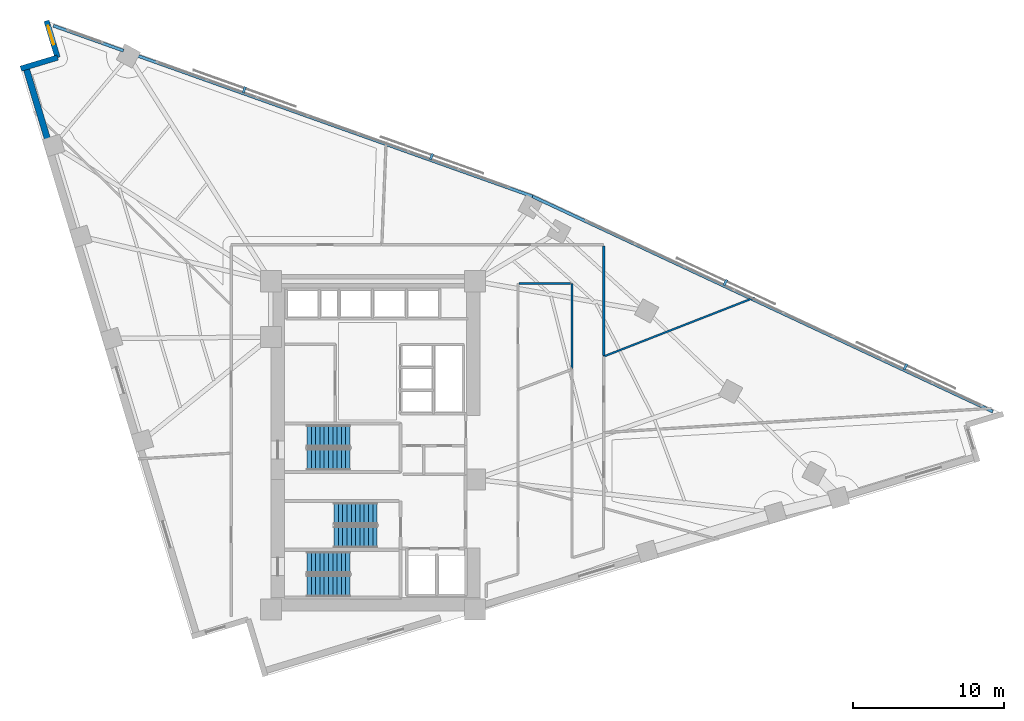
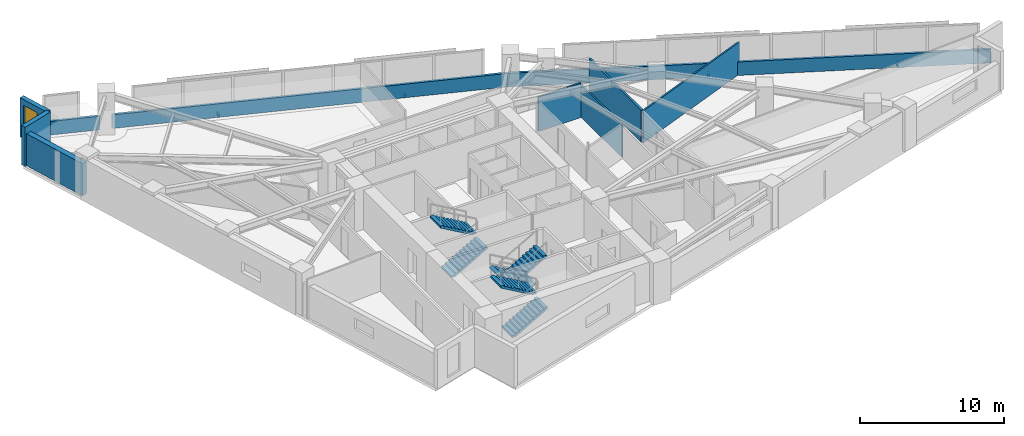
# One storey, part 15 of 17: 10 walls, 6 stair flights, 4 discrete accessories, 1 window, 1 opening, 3 elements without a shape of their own.
"""IFC4 building model written with IfcOpenShell, lengths in metres."""

from ifc_helpers import new_model, si_unit, direction, frame, frame_2d, origin, origin_2d, place, context, subcontext, project, spatial, polyline, rectangle, outline, extrude, material, layer, layer_set, type_object, element, fill, aggregate, save


model = new_model("IFC4")

# Units and contexts
model_context = context("Model", 3, precision=1e-05, world=origin(), true_north=direction((0.0, 1.0)))
body_context = subcontext(model_context, "Body", "Model", "MODEL_VIEW")
ifc_project = project(units=[si_unit("LENGTHUNIT", "METRE"), si_unit("AREAUNIT", "SQUARE_METRE"), si_unit("VOLUMEUNIT", "CUBIC_METRE"), si_unit("PLANEANGLEUNIT", "RADIAN"), si_unit("MASSUNIT", "GRAM", prefix="KILO")], contexts=[model_context])

# Site, building, storey
site_placement = place(None, origin())
site = spatial("IfcSite", under=ifc_project, at=site_placement, CompositionType="ELEMENT")
building_placement = place(site_placement, origin())
building = spatial("IfcBuilding", under=site, at=building_placement, Name="Narakoshi Arena Tower", CompositionType="ELEMENT")
storey_placement = place(building_placement, frame((0.0, 0.0, 139.5)))
storey = spatial("IfcBuildingStorey", under=building, at=storey_placement, Name="L37", CompositionType="ELEMENT", Elevation=139.5)

# Walls
ifc_material_1 = material(Name="Gypsum plasterboard fire-rated partition")
ifc_layer_1 = layer(ifc_material_1, 0.1650390625)
ifc_layer_set_1 = layer_set([ifc_layer_1], Name="Gypsum plasterboard fire-rated partition")
wall_type_1 = type_object("IfcWallType", Name="WL-CORR-165", PredefinedType="PARTITIONING", material=ifc_layer_set_1)
wall_1_placement = place(storey_placement, frame((94.0849609375, 51.58056640625, 0.0), z_axis=(0.0, 0.0, 1.0), x_axis=(0.0, 1.0, 0.0)))
element("IfcWall", 1, at=wall_1_placement, inside=storey, type_object=wall_type_1, Name="L37 Corridor Partition 07-2", PredefinedType="PARTITIONING", context=body_context, shape_type="SweptSolid", body=[
    extrude(rectangle(XDim=7.2529296875, YDim=0.1650390625, at=frame_2d((3.62646484375, 0.0))), origin(), (0.0, 0.0, 1.0), 2.72509765625),
])
ifc_material_2 = material(Name="Precast concrete C45/55", Category="concrete")
ifc_layer_2 = layer(ifc_material_2, 0.25)
ifc_layer_set_2 = layer_set([ifc_layer_2], Name="Precast concrete C45/55")
wall_type_2 = type_object("IfcWallType", Name="WL-PARA-250", PredefinedType="PARAPET", material=ifc_layer_set_2)
wall_2_placement = place(storey_placement, frame((119.92578125, 47.843017578125, 0.0), z_axis=(0.0, 0.0, 1.0), x_axis=(-0.905880730846, 0.423532881228, 0.0)))
element("IfcWall", 2, at=wall_2_placement, inside=storey, type_object=wall_type_2, Name="L37 Hypotenuse Sill Upstand Parapet 1-01", PredefinedType="PARAPET", context=body_context, shape_type="SweptSolid", body=[
    extrude(rectangle(XDim=33.74755859375, YDim=0.199951171875, at=frame_2d((16.873779296875, 0.0))), origin(), (0.0, 0.0, 1.0), 1.14990234375),
])
wall_3_placement = place(storey_placement, frame((89.368408203125, 62.13037109375, 0.0), z_axis=(0.0, 0.0, 1.0), x_axis=(-0.942033439765, 0.335518998515, 0.0)))
element("IfcWall", 3, at=wall_3_placement, inside=storey, type_object=wall_type_2, Name="L37 Hypotenuse Sill Upstand Parapet 2-01", PredefinedType="PARAPET", context=body_context, shape_type="SweptSolid", body=[
    extrude(rectangle(XDim=27.969482421875, YDim=0.199951171875, at=frame_2d((13.98486328125, 0.0))), origin(), (0.0, 0.0, 1.0), 1.14990234375),
])
wall_4_placement = place(storey_placement, frame((62.2177734375, 71.800537109375, 0.0), z_axis=(0.0, 0.0, 1.0), x_axis=(-0.942038862895, 0.335503771655, 0.0)))
element("IfcWall", 4, at=wall_4_placement, inside=storey, type_object=wall_type_2, Name="L37 Hypotenuse Sill Upstand Parapet 2-02", PredefinedType="PARAPET", context=body_context, shape_type="SweptSolid", body=[
    extrude(rectangle(XDim=4.941650390625, YDim=0.199951171875, at=frame_2d((2.470703125, 0.0))), origin(), (0.0, 0.0, 1.0), 1.14990234375),
])
ifc_layer_3 = layer(ifc_material_1, 0.125)
ifc_layer_set_3 = layer_set([ifc_layer_3], Name="Gypsum plasterboard fire-rated partition")
wall_type_3 = type_object("IfcWallType", Name="WL-PART-125", PredefinedType="PARTITIONING", material=ifc_layer_set_3)
wall_5_placement = place(storey_placement, frame((94.0849609375, 51.50048828125, 0.0), z_axis=(0.0, 0.0, 1.0), x_axis=(0.931423458571, 0.363937275948, 0.0)))
element("IfcWall", 5, at=wall_5_placement, inside=storey, type_object=wall_type_3, Name="L37 Inter-Room Partition 04-07", PredefinedType="PARTITIONING", context=body_context, shape_type="SweptSolid", body=[
    extrude(rectangle(XDim=10.7587890625, YDim=0.125, at=frame_2d((5.37939453125, 0.0))), origin(), (0.0, 0.0, 1.0), 2.72509765625),
])
ifc_layer_4 = layer(ifc_material_2, 0.419921875)
ifc_layer_set_4 = layer_set([ifc_layer_4], Name="Precast concrete C45/55")
wall_type_4 = type_object("IfcWallType", Name="WL-POD-420", PredefinedType="SOLIDWALL", material=ifc_layer_set_4)
wall_6_placement = place(storey_placement, frame((55.734130859375, 70.71142578125, 0.0), z_axis=(0.0, 0.0, 1.0), x_axis=(0.288221590884, -0.957563739157, 0.0)))
element("IfcWall", 6, at=wall_6_placement, inside=storey, type_object=wall_type_4, Name="L37 Architectural Concrete Facade Wall LEGB-1", PredefinedType="SOLIDWALL", context=body_context, shape_type="SweptSolid", body=[
    extrude(rectangle(XDim=5.510986328125, YDim=0.419921875, at=frame_2d((2.75537109375, 0.0))), origin(), (0.0, 0.0, 1.0), 2.72509765625),
])

# Wall, opening, window
wall_7_placement = place(storey_placement, frame((57.107666015625, 73.790283203125, 0.0), z_axis=(0.0, 0.0, 1.0), x_axis=(0.288198985694, -0.957570542908, 0.0)))
wall_7 = element("IfcWall", 7, at=wall_7_placement, inside=storey, type_object=wall_type_4, Name="L37 Re-Entrant Corner Notch Wall NTN-1", PredefinedType="SOLIDWALL", context=body_context, shape_type="SweptSolid", body=[
    extrude(rectangle(XDim=2.552490234375, YDim=0.360107421875, at=frame_2d((1.2763671875, 0.0))), origin(), (0.0, 0.0, 1.0), 3.340087890625),
])
opening_placement = place(wall_7_placement, frame((0.340087890625, 0.0, 0.449951171875)))
opening = element("IfcOpeningElement", 8, at=opening_placement, cuts=wall_7, Name="Opening WN-06", PredefinedType="OPENING", context=body_context, shape_type="SweptSolid", body=[
    extrude(rectangle(XDim=1.300048828125, YDim=2.39990234375, at=frame_2d((0.64990234375, 1.199951171875))), frame((0.0, 0.18994140625, 0.0), z_axis=(0.0, -1.0, 0.0), x_axis=(1.0, 0.0, 0.0)), (0.0, 0.0, 1.0), 0.380126953125),
])
ifc_material_3 = material(Name="Bronze-tinted low-E laminated glass", Category="glass")
window_type = type_object("IfcWindowType", Name="WIN-NTC-16x24", PartitioningType="SINGLE_PANEL", PredefinedType="WINDOW", material=ifc_material_3)
window_placement = place(opening_placement, origin())
window = element("IfcWindow", 9, at=window_placement, inside=storey, type_object=window_type, Name="L37 Corner Notch Window NTN", OverallHeight=2.39990234375, OverallWidth=1.300048828125, PartitioningType="SINGLE_PANEL", PredefinedType="WINDOW", context=body_context, shape_type="SweptSolid", body=[
    extrude(rectangle(XDim=1.300048828125, YDim=2.39990234375, at=frame_2d((0.64990234375, 1.199951171875))), frame((0.0, 0.030029296875, 0.0), z_axis=(0.0, -1.0, 0.0), x_axis=(1.0, 0.0, 0.0)), (0.0, 0.0, 1.0), 0.06005859375),
])
fill(opening, window)

# Walls
wall_8_placement = place(storey_placement, frame((57.84326171875, 71.34619140625, 0.0), z_axis=(0.0, 0.0, 1.0), x_axis=(-0.95757848653, -0.288172590882, 0.0)))
element("IfcWall", 10, at=wall_8_placement, inside=storey, type_object=wall_type_4, Name="L37 Re-Entrant Corner Notch Wall NTN-2", PredefinedType="SOLIDWALL", context=body_context, shape_type="SweptSolid", body=[
    extrude(rectangle(XDim=2.552734375, YDim=0.360107421875, at=frame_2d((1.2763671875, 0.0))), origin(), (0.0, 0.0, 1.0), 3.340087890625),
])
ifc_material_4 = material(Name="Moisture-resistant cement-board partition")
ifc_layer_5 = layer(ifc_material_4, 0.14501953125)
ifc_layer_set_5 = layer_set([ifc_layer_5], Name="Moisture-resistant cement-board partition")
wall_type_5 = type_object("IfcWallType", Name="WL-WET-145", PredefinedType="PARTITIONING", material=ifc_layer_set_5)
wall_9_placement = place(storey_placement, frame((91.985107421875, 56.35009765625, 0.0), z_axis=(0.0, 0.0, 1.0), x_axis=(0.0, -1.0, 0.0)))
element("IfcWall", 11, at=wall_9_placement, inside=storey, type_object=wall_type_5, Name="L37 Corridor Partition 06-2", PredefinedType="PARTITIONING", context=body_context, shape_type="SweptSolid", body=[
    extrude(rectangle(XDim=5.63623046875, YDim=0.14501953125, at=frame_2d((2.818115234375, 0.0))), origin(), (0.0, 0.0, 1.0), 2.72509765625),
])
wall_10_placement = place(storey_placement, frame((88.484619140625, 56.35009765625, 0.0), z_axis=(0.0, 0.0, 1.0), x_axis=(1.0, 0.0, 0.0)))
element("IfcWall", 12, at=wall_10_placement, inside=storey, type_object=wall_type_5, Name="L37 Corridor Partition 06-3", PredefinedType="PARTITIONING", context=body_context, shape_type="SweptSolid", body=[
    extrude(rectangle(XDim=3.415771484375, YDim=0.14501953125, at=frame_2d((1.7080078125, 0.0))), origin(), (0.0, 0.0, 1.0), 2.925048828125),
])

# Stair, stair flights
ifc_material_5 = material(Name="Concrete C45/55", Category="concrete")
stair_type = type_object("IfcStairType", Name="STR-CORE-360", PredefinedType="TWO_STRAIGHT_RUN_STAIR", material=ifc_material_5)
stair_1_placement = place(storey_placement, origin())
stair_1 = element("IfcStair", 13, at=stair_1_placement, inside=storey, type_object=stair_type, Name="L37 Core Escape Stair ST1", PredefinedType="TWO_STRAIGHT_RUN_STAIR")
stair_flight_type = type_object("IfcStairFlightType", Name="FLT-145-160", PredefinedType="STRAIGHT", material=ifc_material_2)
stair_flight_1_placement = place(storey_placement, frame((74.39990234375, 36.27490234375, 0.0), z_axis=(0.0, 0.0, 1.0), x_axis=(1.0, 0.0, 0.0)))
stair_flight_1 = element("IfcStairFlight", 14, at=stair_flight_1_placement, type_object=stair_flight_type, Name="ST1 flight 1", NumberOfRisers=11, NumberOfTreads=10, PredefinedType="STRAIGHT", RiserHeight=0.163636364, TreadLength=0.285, context=body_context, shape_type="SweptSolid", body=[
    extrude(outline(polyline([(0.0, 0.0), (0.0, 0.16357421875), (0.284912109375, 0.16357421875), (0.284912109375, 0.327392578125), (0.570068359375, 0.327392578125), (0.570068359375, 0.490966796875), (0.85498046875, 0.490966796875), (0.85498046875, 0.654541015625), (1.139892578125, 0.654541015625), (1.139892578125, 0.818115234375), (1.425048828125, 0.818115234375), (1.425048828125, 0.98193359375), (1.7099609375, 0.98193359375), (1.7099609375, 1.1455078125), (1.9951171875, 1.1455078125), (1.9951171875, 1.30908203125), (2.280029296875, 1.30908203125), (2.280029296875, 1.47265625), (2.56494140625, 1.47265625), (2.56494140625, 1.636474609375), (2.85009765625, 1.636474609375), (2.85009765625, 1.800048828125), (2.85009765625, 1.463623046875), (0.301025390625, 0.0), (0.0, 0.0)])), frame((0.0, 0.72509765625, 0.0), z_axis=(0.0, -1.0, 0.0), x_axis=(1.0, 0.0, 0.0)), (0.0, 0.0, 1.0), 1.449951171875),
])
stair_flight_2_placement = place(storey_placement, frame((77.25, 37.824951171875, 1.800048828125), z_axis=(0.0, 0.0, 1.0), x_axis=(-1.0, 0.0, 0.0)))
stair_flight_2 = element("IfcStairFlight", 15, at=stair_flight_2_placement, type_object=stair_flight_type, Name="ST1 flight 2", NumberOfRisers=11, NumberOfTreads=10, PredefinedType="STRAIGHT", RiserHeight=0.163636364, TreadLength=0.285, context=body_context, shape_type="SweptSolid", body=[
    extrude(outline(polyline([(0.0, 0.0), (0.0, 0.16357421875), (0.284912109375, 0.16357421875), (0.284912109375, 0.327392578125), (0.570068359375, 0.327392578125), (0.570068359375, 0.490966796875), (0.85498046875, 0.490966796875), (0.85498046875, 0.654541015625), (1.139892578125, 0.654541015625), (1.139892578125, 0.818115234375), (1.425048828125, 0.818115234375), (1.425048828125, 0.98193359375), (1.7099609375, 0.98193359375), (1.7099609375, 1.1455078125), (1.9951171875, 1.1455078125), (1.9951171875, 1.30908203125), (2.280029296875, 1.30908203125), (2.280029296875, 1.47265625), (2.56494140625, 1.47265625), (2.56494140625, 1.636474609375), (2.85009765625, 1.636474609375), (2.85009765625, 1.800048828125), (2.85009765625, 1.463623046875), (0.301025390625, 0.0), (0.0, 0.0)])), frame((0.0, 0.72509765625, 0.0), z_axis=(0.0, -1.0, 0.0), x_axis=(1.0, 0.0, 0.0)), (0.0, 0.0, 1.0), 1.449951171875),
])
aggregate(stair_1, [stair_flight_1, stair_flight_2])

stair_2_placement = place(storey_placement, origin())
stair_2 = element("IfcStair", 16, at=stair_2_placement, inside=storey, type_object=stair_type, Name="L37 Core Escape Stair ST2", PredefinedType="TWO_STRAIGHT_RUN_STAIR")
stair_flight_3_placement = place(storey_placement, frame((79.050048828125, 41.074951171875, 0.0), z_axis=(0.0, 0.0, 1.0), x_axis=(-1.0, 0.0, 0.0)))
stair_flight_3 = element("IfcStairFlight", 17, at=stair_flight_3_placement, type_object=stair_flight_type, Name="ST2 flight 1", NumberOfRisers=11, NumberOfTreads=10, PredefinedType="STRAIGHT", RiserHeight=0.163636364, TreadLength=0.285, context=body_context, shape_type="SweptSolid", body=[
    extrude(outline(polyline([(0.0, 0.0), (0.0, 0.16357421875), (0.284912109375, 0.16357421875), (0.284912109375, 0.327392578125), (0.570068359375, 0.327392578125), (0.570068359375, 0.490966796875), (0.85498046875, 0.490966796875), (0.85498046875, 0.654541015625), (1.139892578125, 0.654541015625), (1.139892578125, 0.818115234375), (1.425048828125, 0.818115234375), (1.425048828125, 0.98193359375), (1.7099609375, 0.98193359375), (1.7099609375, 1.1455078125), (1.9951171875, 1.1455078125), (1.9951171875, 1.30908203125), (2.280029296875, 1.30908203125), (2.280029296875, 1.47265625), (2.56494140625, 1.47265625), (2.56494140625, 1.636474609375), (2.85009765625, 1.636474609375), (2.85009765625, 1.800048828125), (2.85009765625, 1.463623046875), (0.301025390625, 0.0), (0.0, 0.0)])), frame((0.0, 0.72509765625, 0.0), z_axis=(0.0, -1.0, 0.0), x_axis=(1.0, 0.0, 0.0)), (0.0, 0.0, 1.0), 1.449951171875),
])
stair_flight_4_placement = place(storey_placement, frame((76.199951171875, 39.52490234375, 1.800048828125), z_axis=(0.0, 0.0, 1.0), x_axis=(1.0, 0.0, 0.0)))
stair_flight_4 = element("IfcStairFlight", 18, at=stair_flight_4_placement, type_object=stair_flight_type, Name="ST2 flight 2", NumberOfRisers=11, NumberOfTreads=10, PredefinedType="STRAIGHT", RiserHeight=0.163636364, TreadLength=0.285, context=body_context, shape_type="SweptSolid", body=[
    extrude(outline(polyline([(0.0, 0.0), (0.0, 0.16357421875), (0.284912109375, 0.16357421875), (0.284912109375, 0.327392578125), (0.570068359375, 0.327392578125), (0.570068359375, 0.490966796875), (0.85498046875, 0.490966796875), (0.85498046875, 0.654541015625), (1.139892578125, 0.654541015625), (1.139892578125, 0.818115234375), (1.425048828125, 0.818115234375), (1.425048828125, 0.98193359375), (1.7099609375, 0.98193359375), (1.7099609375, 1.1455078125), (1.9951171875, 1.1455078125), (1.9951171875, 1.30908203125), (2.280029296875, 1.30908203125), (2.280029296875, 1.47265625), (2.56494140625, 1.47265625), (2.56494140625, 1.636474609375), (2.85009765625, 1.636474609375), (2.85009765625, 1.800048828125), (2.85009765625, 1.463623046875), (0.301025390625, 0.0), (0.0, 0.0)])), frame((0.0, 0.72509765625, 0.0), z_axis=(0.0, -1.0, 0.0), x_axis=(1.0, 0.0, 0.0)), (0.0, 0.0, 1.0), 1.449951171875),
])
aggregate(stair_2, [stair_flight_3, stair_flight_4])

stair_3_placement = place(storey_placement, origin())
stair_3 = element("IfcStair", 19, at=stair_3_placement, inside=storey, type_object=stair_type, Name="L37 Core Escape Stair ST3", PredefinedType="TWO_STRAIGHT_RUN_STAIR")
stair_flight_5_placement = place(storey_placement, frame((74.39990234375, 44.675048828125, 0.0), z_axis=(0.0, 0.0, 1.0), x_axis=(1.0, 0.0, 0.0)))
stair_flight_5 = element("IfcStairFlight", 20, at=stair_flight_5_placement, type_object=stair_flight_type, Name="ST3 flight 1", NumberOfRisers=11, NumberOfTreads=10, PredefinedType="STRAIGHT", RiserHeight=0.163636364, TreadLength=0.285, context=body_context, shape_type="SweptSolid", body=[
    extrude(outline(polyline([(0.0, 0.0), (0.0, 0.16357421875), (0.284912109375, 0.16357421875), (0.284912109375, 0.327392578125), (0.570068359375, 0.327392578125), (0.570068359375, 0.490966796875), (0.85498046875, 0.490966796875), (0.85498046875, 0.654541015625), (1.139892578125, 0.654541015625), (1.139892578125, 0.818115234375), (1.425048828125, 0.818115234375), (1.425048828125, 0.98193359375), (1.7099609375, 0.98193359375), (1.7099609375, 1.1455078125), (1.9951171875, 1.1455078125), (1.9951171875, 1.30908203125), (2.280029296875, 1.30908203125), (2.280029296875, 1.47265625), (2.56494140625, 1.47265625), (2.56494140625, 1.636474609375), (2.85009765625, 1.636474609375), (2.85009765625, 1.800048828125), (2.85009765625, 1.463623046875), (0.301025390625, 0.0), (0.0, 0.0)])), frame((0.0, 0.72509765625, 0.0), z_axis=(0.0, -1.0, 0.0), x_axis=(1.0, 0.0, 0.0)), (0.0, 0.0, 1.0), 1.449951171875),
])
stair_flight_6_placement = place(storey_placement, frame((77.25, 46.22509765625, 1.800048828125), z_axis=(0.0, 0.0, 1.0), x_axis=(-1.0, 0.0, 0.0)))
stair_flight_6 = element("IfcStairFlight", 21, at=stair_flight_6_placement, type_object=stair_flight_type, Name="ST3 flight 2", NumberOfRisers=11, NumberOfTreads=10, PredefinedType="STRAIGHT", RiserHeight=0.163636364, TreadLength=0.285, context=body_context, shape_type="SweptSolid", body=[
    extrude(outline(polyline([(0.0, 0.0), (0.0, 0.16357421875), (0.284912109375, 0.16357421875), (0.284912109375, 0.327392578125), (0.570068359375, 0.327392578125), (0.570068359375, 0.490966796875), (0.85498046875, 0.490966796875), (0.85498046875, 0.654541015625), (1.139892578125, 0.654541015625), (1.139892578125, 0.818115234375), (1.425048828125, 0.818115234375), (1.425048828125, 0.98193359375), (1.7099609375, 0.98193359375), (1.7099609375, 1.1455078125), (1.9951171875, 1.1455078125), (1.9951171875, 1.30908203125), (2.280029296875, 1.30908203125), (2.280029296875, 1.47265625), (2.56494140625, 1.47265625), (2.56494140625, 1.636474609375), (2.85009765625, 1.636474609375), (2.85009765625, 1.800048828125), (2.85009765625, 1.463623046875), (0.301025390625, 0.0), (0.0, 0.0)])), frame((0.0, 0.72509765625, 0.0), z_axis=(0.0, -1.0, 0.0), x_axis=(1.0, 0.0, 0.0)), (0.0, 0.0, 1.0), 1.449951171875),
])
aggregate(stair_3, [stair_flight_5, stair_flight_6])

# Discrete accessories
ifc_material_6 = material(Name="Structural steel S355J2", Category="steel")
discrete_accessory_type = type_object("IfcDiscreteAccessoryType", Name="ACC-BRK-SCR", PredefinedType="BRACKET", material=ifc_material_6)
for number, where, z_axis, x_axis, name in (
    (22, (114.129150390625, 50.818115234375, -0.080078125), (0.0, 0.0, 1.0), (-0.9058795101, 0.423535492234, 0.0), "L37 Solar Screen Support Bracket SHD-L37-SCR1-1"),
    (23, (102.17138671875, 56.40869140625, -0.080078125), (0.0, 0.0, 1.0), (-0.9058795101, 0.423535492234, 0.0), "L37 Solar Screen Support Bracket SHD-L37-SCR1-2"),
    (24, (82.66650390625, 64.772216796875, -0.080078125), (0.0, 0.0, 1.0), (-0.942034031554, 0.33551733695, 0.0), "L37 Solar Screen Support Bracket SHD-L37-SCR2-1"),
    (25, (70.231689453125, 69.200927734375, -0.080078125), (0.0, 0.0, 1.0), (-0.942034031554, 0.33551733695, 0.0), "L37 Solar Screen Support Bracket SHD-L37-SCR2-2"),
):
    element("IfcDiscreteAccessory", number, at=place(storey_placement, frame(where, z_axis=z_axis, x_axis=x_axis)), inside=storey, type_object=discrete_accessory_type, Name=name, PredefinedType="BRACKET", context=body_context, shape_type="SweptSolid", body=[
        extrude(rectangle(XDim=0.159912109375, YDim=0.425048828125, at=origin_2d()), origin(), (0.0, 0.0, 1.0), 0.199951171875),
    ])

save(model, "model.ifc")
